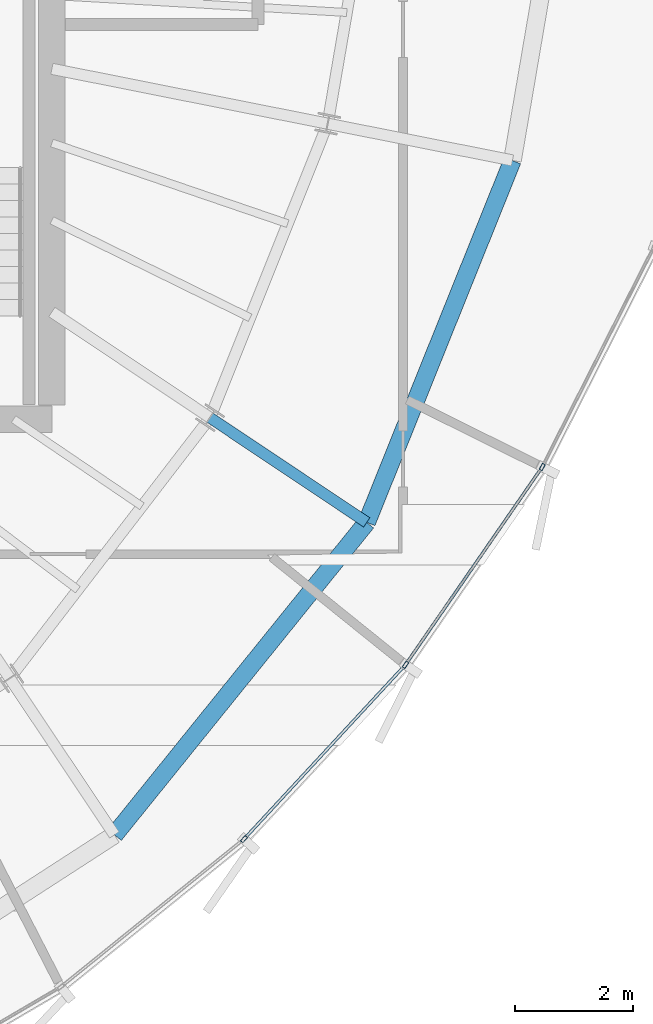
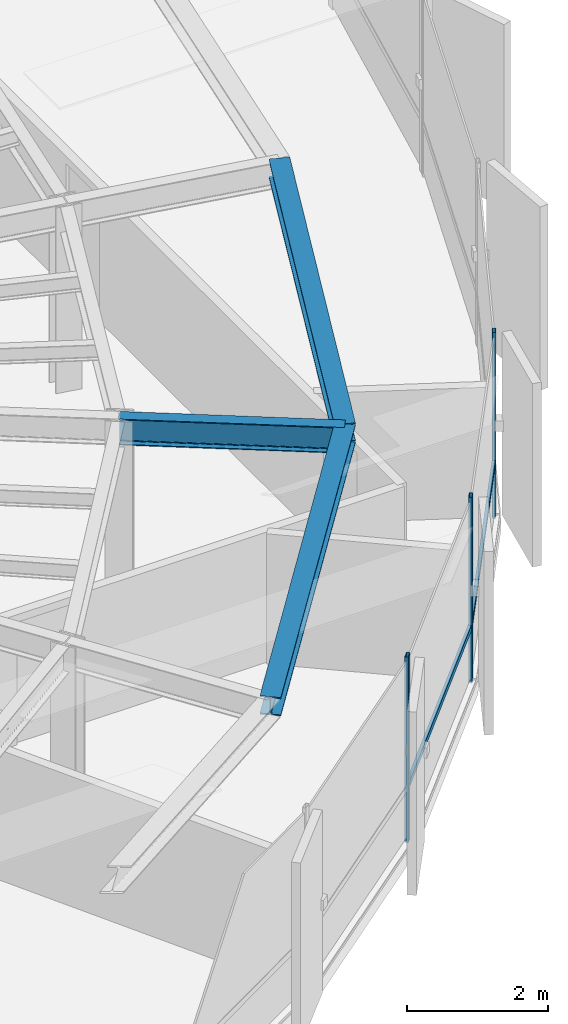
# One storey, part 13 of 36: 5 members, 3 beams, 1 element without a shape of its own.
"""IFC4 building model written with IfcOpenShell, lengths in metres."""

from ifc_helpers import new_model, si_unit, direction, frame, origin, origin_2d, place, context, subcontext, project, spatial, hollow_rectangle, i_section, extrude, source, transform, mapped, material, layer, layer_set, material_profile, profile_set, type_object, element, aggregate, save


model = new_model("IFC4")

# Units and contexts
model_context = context("Model", 3, precision=1e-05, world=origin(), true_north=direction((0.0, 1.0)))
body_context = subcontext(model_context, "Body", "Model", "MODEL_VIEW")
ifc_project = project(units=[si_unit("LENGTHUNIT", "METRE"), si_unit("AREAUNIT", "SQUARE_METRE"), si_unit("VOLUMEUNIT", "CUBIC_METRE"), si_unit("PLANEANGLEUNIT", "RADIAN"), si_unit("MASSUNIT", "GRAM", prefix="KILO"), si_unit("THERMODYNAMICTEMPERATUREUNIT", "KELVIN")], contexts=[model_context])

# Site, building, storey
site_placement = place(None, origin())
site = spatial("IfcSite", under=ifc_project, at=site_placement, CompositionType="ELEMENT")
building_placement = place(site_placement, origin())
building = spatial("IfcBuilding", under=site, at=building_placement, Name="Kethvar Cultural Tower", CompositionType="ELEMENT")
storey_placement = place(building_placement, frame((0.0, 0.0, 242.199951171875)))
storey = spatial("IfcBuildingStorey", under=building, at=storey_placement, Name="L63", CompositionType="ELEMENT", Elevation=242.199951171875)

# Beams
ifc_material_1 = material(Name="Steel S355J2", Category="steel")
ifc_material_profile_1 = material_profile(ifc_material_1, i_section(OverallWidth=0.18994140625, OverallDepth=0.449951171875, WebThickness=0.009521484375, FlangeThickness=0.0146484375, FilletRadius=0.02099609375, at=origin_2d()), Name="Steel S355J2 — IPE450")
ifc_profile_set_1 = profile_set([ifc_material_profile_1], Name="Steel S355J2 — IPE450")
beam_type_1 = type_object("IfcBeamType", Name="BM-IPE450", PredefinedType="BEAM", material=ifc_profile_set_1)
shared_shape_1 = source(origin(), body_context, "Body", "SweptSolid", [
    extrude(i_section(OverallWidth=0.18994140625, OverallDepth=0.449951171875, WebThickness=0.009521484375, FlangeThickness=0.0146484375, FilletRadius=0.02099609375, at=origin_2d()), origin(), (0.0, 0.0, 1.0), 3.199951171875),
])
beam_1_placement = place(storey_placement, frame((58.287109375, 20.12451171875, 2.983154296875), z_axis=(0.831462943996, -0.555580212716, 0.0), x_axis=(0.555580212716, 0.831462943996, 0.0)))
element("IfcBeam", 1, at=beam_1_placement, inside=storey, type_object=beam_type_1, Name="L63 Perimeter Cantilever Beam RC-15", PredefinedType="BEAM", context=body_context, shape_type="MappedRepresentation", body=[
    mapped(shared_shape_1, transform((0.0, 0.0, 0.0), scale=1.0)),
])
ifc_material_profile_2 = material_profile(ifc_material_1, i_section(OverallWidth=0.300048828125, OverallDepth=0.320068359375, WebThickness=0.011474609375, FlangeThickness=0.0205078125, FilletRadius=0.027099609375, at=origin_2d()), Name="Steel S355J2 — HEB320")
ifc_profile_set_2 = profile_set([ifc_material_profile_2], Name="Steel S355J2 — HEB320")
beam_type_2 = type_object("IfcBeamType", Name="BM-SP320", PredefinedType="SPANDREL", material=ifc_profile_set_2)
shared_shape_2 = source(origin(), body_context, "Body", "SweptSolid", [
    extrude(i_section(OverallWidth=0.300048828125, OverallDepth=0.320068359375, WebThickness=0.011474609375, FlangeThickness=0.0205078125, FilletRadius=0.027099609375, at=origin_2d()), origin(), (0.0, 0.0, 1.0), 6.8212890625),
])
beam_2_placement = place(storey_placement, frame((56.66259765625, 13.039306640625, 3.048095703125), z_axis=(0.628197971595, 0.778053538315, 0.0), x_axis=(-0.778053538315, 0.628197971595, 0.0)))
element("IfcBeam", 2, at=beam_2_placement, inside=storey, type_object=beam_type_2, Name="L63 Perimeter Spandrel Beam SP-14", PredefinedType="SPANDREL", context=body_context, shape_type="MappedRepresentation", body=[
    mapped(shared_shape_2, transform((0.0, 0.0, 0.0), scale=1.0)),
])
shared_shape_3 = source(origin(), body_context, "Body", "SweptSolid", [
    extrude(i_section(OverallWidth=0.300048828125, OverallDepth=0.320068359375, WebThickness=0.011474609375, FlangeThickness=0.0205078125, FilletRadius=0.027099609375, at=origin_2d()), origin(), (0.0, 0.0, 1.0), 6.626220703125),
])
beam_3_placement = place(storey_placement, frame((60.94775390625, 18.3466796875, 3.048095703125), z_axis=(0.373416224197, 0.927663906545, 0.0), x_axis=(-0.927663906545, 0.373416224197, 0.0)))
element("IfcBeam", 3, at=beam_3_placement, inside=storey, type_object=beam_type_2, Name="L63 Perimeter Spandrel Beam SP-15", PredefinedType="SPANDREL", context=body_context, shape_type="MappedRepresentation", body=[
    mapped(shared_shape_3, transform((0.0, 0.0, 0.0), scale=1.0)),
])

# Curtain wall, members
ifc_material_2 = material(Name="Aluminium 6063-T6", Category="aluminium")
ifc_layer = layer(ifc_material_2, 0.179931640625, Name="Aluminium 6063-T6", Category="aluminium")
ifc_layer_set = layer_set([ifc_layer], Name="Aluminium 6063-T6 (180 mm)")
curtain_wall_type = type_object("IfcCurtainWallType", Name="CW-SYS-05-Z56", PredefinedType="NOTDEFINED", material=ifc_layer_set)
curtain_wall_placement = place(storey_placement, origin())
curtain_wall = element("IfcCurtainWall", 4, at=curtain_wall_placement, inside=storey, type_object=curtain_wall_type, Name="L63 Curtain Wall Run 05", PredefinedType="NOTDEFINED")
ifc_material_profile_3 = material_profile(ifc_material_2, hollow_rectangle(XDim=0.054931640625, YDim=0.1201171875, WallThickness=0.00390625, at=origin_2d()), Name="Aluminium 6063-T6 — RHS120x55x4")
ifc_profile_set_3 = profile_set([ifc_material_profile_3], Name="Aluminium 6063-T6 — RHS120x55x4")
member_type_1 = type_object("IfcMemberType", Name="CW-SYS-05-Z56-MUL", PredefinedType="MULLION", material=ifc_profile_set_3)
shared_shape_4 = source(origin(), body_context, "Body", "SweptSolid", [
    extrude(hollow_rectangle(XDim=0.054931640625, YDim=0.1201171875, WallThickness=0.00390625, at=origin_2d()), origin(), (0.0, 0.0, 1.0), 3.2099609375),
])
member_1_placement = place(storey_placement, frame((58.8623046875, 12.967529296875, 0.0), z_axis=(0.0, 0.0, 1.0), x_axis=(-0.73370614708, 0.679466915851, 0.0)))
member_1 = element("IfcMember", 5, at=member_1_placement, type_object=member_type_1, Name="CW-L63-R05 Mullion 3", PredefinedType="MULLION", context=body_context, shape_type="MappedRepresentation", body=[
    mapped(shared_shape_4, transform((0.0, 0.0, 0.0), scale=1.0)),
])
member_2_placement = place(storey_placement, frame((61.606201171875, 15.928955078125, 0.0), z_axis=(0.0, 0.0, 1.0), x_axis=(-0.822709974815, 0.568461341992, 0.0)))
member_2 = element("IfcMember", 6, at=member_2_placement, type_object=member_type_1, Name="CW-L63-R05 Mullion 4", PredefinedType="MULLION", context=body_context, shape_type="MappedRepresentation", body=[
    mapped(shared_shape_4, transform((0.0, 0.0, 0.0), scale=1.0)),
])
member_3_placement = place(storey_placement, frame((63.927978515625, 19.28759765625, 0.0), z_axis=(0.0, 0.0, 1.0), x_axis=(-0.891813322013, 0.45240357943, 0.0)))
member_3 = element("IfcMember", 7, at=member_3_placement, type_object=member_type_1, Name="CW-L63-R05 Mullion 5", PredefinedType="MULLION", context=body_context, shape_type="MappedRepresentation", body=[
    mapped(shared_shape_4, transform((0.0, 0.0, 0.0), scale=1.0)),
])
ifc_material_profile_4 = material_profile(ifc_material_2, hollow_rectangle(XDim=0.050048828125, YDim=0.10009765625, WallThickness=0.00390625, at=origin_2d()), Name="Aluminium 6063-T6 — RHS100x50x4")
ifc_profile_set_4 = profile_set([ifc_material_profile_4], Name="Aluminium 6063-T6 — RHS100x50x4")
member_type_2 = type_object("IfcMemberType", Name="CW-SYS-05-Z56-TRN", PredefinedType="USERDEFINED", material=ifc_profile_set_4)
shared_shape_5 = source(origin(), body_context, "Body", "SweptSolid", [
    extrude(hollow_rectangle(XDim=0.050048828125, YDim=0.10009765625, WallThickness=0.00390625, at=origin_2d()), origin(), (0.0, 0.0, 1.0), 3.97216796875),
])
member_4_placement = place(storey_placement, frame((58.88916015625, 12.99658203125, 0.949951171875), z_axis=(0.679450925912, 0.733720954639, 0.0), x_axis=(-0.733720954639, 0.679450925912, 0.0)))
member_4 = element("IfcMember", 8, at=member_4_placement, type_object=member_type_2, Name="CW-L63-R05 Transom 3", ObjectType="TRANSOM", PredefinedType="USERDEFINED", context=body_context, shape_type="MappedRepresentation", body=[
    mapped(shared_shape_5, transform((0.0, 0.0, 0.0), scale=1.0)),
])
shared_shape_6 = source(origin(), body_context, "Body", "SweptSolid", [
    extrude(hollow_rectangle(XDim=0.050048828125, YDim=0.10009765625, WallThickness=0.00390625, at=origin_2d()), origin(), (0.0, 0.0, 1.0), 4.01708984375),
])
member_5_placement = place(storey_placement, frame((61.628662109375, 15.961669921875, 0.949951171875), z_axis=(0.568479737506, 0.82269726391, 0.0), x_axis=(-0.82269726391, 0.568479737506, 0.0)))
member_5 = element("IfcMember", 9, at=member_5_placement, type_object=member_type_2, Name="CW-L63-R05 Transom 4", ObjectType="TRANSOM", PredefinedType="USERDEFINED", context=body_context, shape_type="MappedRepresentation", body=[
    mapped(shared_shape_6, transform((0.0, 0.0, 0.0), scale=1.0)),
])
aggregate(curtain_wall, [member_1, member_2, member_3, member_4, member_5])

save(model, "model.ifc")
